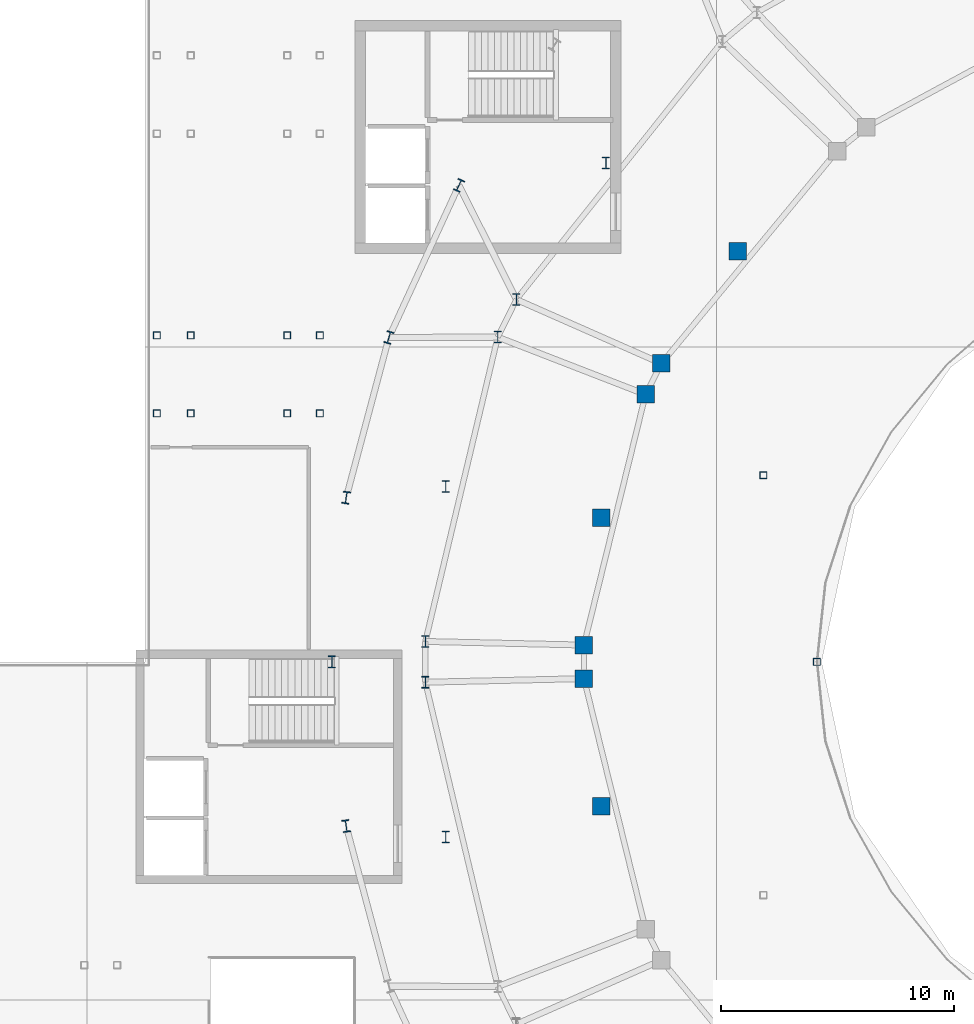
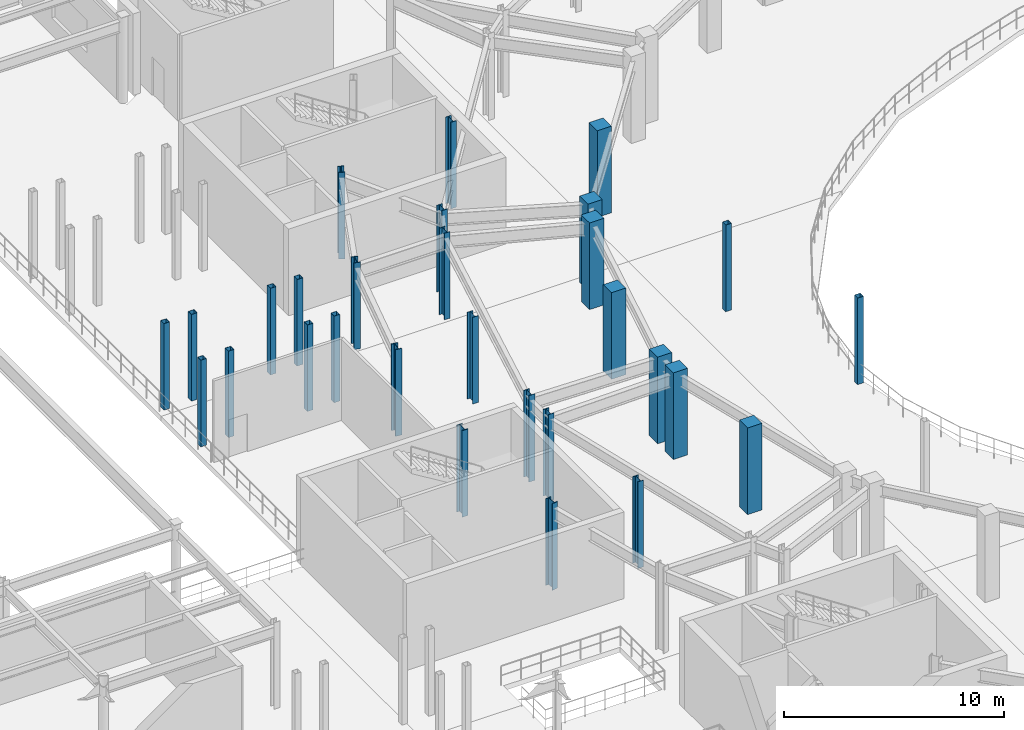
# One storey, part 11 of 86: 29 columns.
"""IFC4 building model written with IfcOpenShell, lengths in metres."""

from ifc_helpers import new_model, si_unit, direction, frame, origin, origin_2d, place, context, subcontext, project, spatial, rectangle, hollow_rectangle, i_section, extrude, material, material_profile, profile_set, type_object, element, save


model = new_model("IFC4")

# Units and contexts
model_context = context("Model", 3, precision=1e-05, world=origin(), true_north=direction((0.0, 1.0)))
body_context = subcontext(model_context, "Body", "Model", "MODEL_VIEW")
ifc_project = project(units=[si_unit("LENGTHUNIT", "METRE"), si_unit("AREAUNIT", "SQUARE_METRE"), si_unit("VOLUMEUNIT", "CUBIC_METRE"), si_unit("PLANEANGLEUNIT", "RADIAN"), si_unit("MASSUNIT", "GRAM", prefix="KILO")], contexts=[model_context])

# Site, building, storey
site_placement = place(None, origin())
site = spatial("IfcSite", under=ifc_project, at=site_placement, CompositionType="ELEMENT")
building_placement = place(site_placement, origin())
building = spatial("IfcBuilding", under=site, at=building_placement, Name="Glasvene Arena", CompositionType="ELEMENT")
storey_placement = place(building_placement, frame((0.0, 0.0, 5.39990234375)))
storey = spatial("IfcBuildingStorey", under=building, at=storey_placement, Name="L01", CompositionType="ELEMENT", Elevation=5.39990234375)

# Columns
ifc_material_1 = material(Name="Concrete C40/50", Category="concrete")
ifc_material_profile_1 = material_profile(ifc_material_1, rectangle(XDim=0.75, YDim=0.75, at=origin_2d()), Name="RC 750x750")
ifc_profile_set_1 = profile_set([ifc_material_profile_1], Name="Concrete C40/50")
column_type_1 = type_object("IfcColumnType", Name="COL-MID-RC750", PredefinedType="COLUMN", material=ifc_profile_set_1)
for number, where, z_axis, x_axis, name in (
    (1, (56.133544921875, 85.79248046875, 0.0), (0.0, 0.0, 1.0), (1.0, 0.0, 0.0), "Mid-bowl fulcrum column L01 07-2"),
    (2, (55.452880859375, 84.46337890625, 0.0), (0.0, 0.0, 1.0), (1.0, 0.0, 0.0), "Mid-bowl fulcrum column L01 08-1"),
    (3, (52.81005859375, 73.71923828125, 0.0), (0.0, 0.0, 1.0), (1.0, 0.0, 0.0), "Mid-bowl fulcrum column L01 08-2"),
    (4, (52.81005859375, 72.28076171875, 0.0), (0.0, 0.0, 1.0), (1.0, 0.0, 0.0), "Mid-bowl fulcrum column L01 09-1"),
    (5, (59.406494140625, 90.611572265625, 0.0), (0.0, 0.0, 1.0), (1.0, 0.0, 0.0), "Mid-sector fulcrum column L01 07"),
    (6, (53.55322265625, 79.184326171875, 0.0), (0.0, 0.0, 1.0), (1.0, 0.0, 0.0), "Mid-sector fulcrum column L01 08"),
    (7, (53.55322265625, 66.815673828125, 0.0), (0.0, 0.0, 1.0), (1.0, 0.0, 0.0), "Mid-sector fulcrum column L01 09"),
):
    element("IfcColumn", number, at=place(storey_placement, frame(where, z_axis=z_axis, x_axis=x_axis)), inside=storey, type_object=column_type_1, Name=name, PredefinedType="COLUMN", context=body_context, shape_type="SweptSolid", body=[
        extrude(rectangle(XDim=0.75, YDim=0.75, at=origin_2d()), origin(), (0.0, 0.0, 1.0), 4.800048828125),
    ])
ifc_material_2 = material(Name="Steel S355J2", Category="steel")
ifc_material_profile_2 = material_profile(ifc_material_2, i_section(OverallWidth=0.305908203125, OverallDepth=0.52392578125, WebThickness=0.02099609375, FlangeThickness=0.0400390625, FilletRadius=0.027099609375, at=origin_2d()), Name="HEM 500")
ifc_profile_set_2 = profile_set([ifc_material_profile_2], Name="Steel S355J2")
column_type_2 = type_object("IfcColumnType", Name="COL-RING-HEM500", PredefinedType="COLUMN", material=ifc_profile_set_2)
for number, where, z_axis, x_axis, name in (
    (8, (47.44970703125, 93.4296875, 0.0), (0.0, 0.0, 1.0), (-0.909018020308, 0.416756810089, 0.0), "Bowl ring column R18 L01"),
    (9, (44.447265625, 86.90576171875, 0.0), (0.0, 0.0, 1.0), (-0.959805291975, 0.280666708921, 0.0), "Bowl ring column R19 L01"),
    (10, (42.615478515625, 80.03955078125, 0.0), (0.0, 0.0, 1.0), (-0.989999050734, 0.141074021516, 0.0), "Bowl ring column R20 L01"),
    (11, (42.0, 73.0, 0.0), (0.0, 0.0, 1.0), (-1.0, 0.0, 0.0), "Bowl ring column R21 L01"),
    (12, (42.615478515625, 65.96044921875, 0.0), (0.0, 0.0, 1.0), (-0.989999050734, -0.141074021516, 0.0), "Bowl ring column R22 L01"),
):
    element("IfcColumn", number, at=place(storey_placement, frame(where, z_axis=z_axis, x_axis=x_axis)), inside=storey, type_object=column_type_2, Name=name, PredefinedType="COLUMN", context=body_context, shape_type="SweptSolid", body=[
        extrude(i_section(OverallWidth=0.305908203125, OverallDepth=0.52392578125, WebThickness=0.02099609375, FlangeThickness=0.0400390625, FilletRadius=0.027099609375, at=origin_2d()), origin(), (0.0, 0.0, 1.0), 4.800048828125),
    ])
ifc_material_profile_3 = material_profile(ifc_material_2, i_section(OverallWidth=0.300048828125, OverallDepth=0.5, WebThickness=0.014404296875, FlangeThickness=0.028076171875, FilletRadius=0.027099609375, at=origin_2d()), Name="HEB 500")
ifc_profile_set_3 = profile_set([ifc_material_profile_3], Name="Steel S355J2")
column_type_3 = type_object("IfcColumnType", Name="COL-W-HEB500", PredefinedType="COLUMN", material=ifc_profile_set_3)
for number, where, z_axis, x_axis, name in (
    (13, (49.911865234375, 88.53662109375, 0.0), (0.0, 0.0, 1.0), (1.0, 0.0, 0.0), "Upper raker rear column L01 07-2"),
    (14, (49.113037109375, 86.922607421875, 0.0), (0.0, 0.0, 1.0), (1.0, 0.0, 0.0), "Upper raker rear column L01 08-1"),
    (15, (46.01171875, 73.87353515625, 0.0), (0.0, 0.0, 1.0), (1.0, 0.0, 0.0), "Upper raker rear column L01 08-2"),
    (16, (46.01171875, 72.12646484375, 0.0), (0.0, 0.0, 1.0), (1.0, 0.0, 0.0), "Upper raker rear column L01 09-1"),
    (17, (53.75244140625, 94.389404296875, 0.0), (0.0, 0.0, 1.0), (1.0, 0.0, 0.0), "Mid-sector rear raker column L01 07"),
    (18, (46.8837890625, 80.510986328125, 0.0), (0.0, 0.0, 1.0), (1.0, 0.0, 0.0), "Mid-sector rear raker column L01 08"),
    (19, (46.8837890625, 65.489013671875, 0.0), (0.0, 0.0, 1.0), (1.0, 0.0, 0.0), "Mid-sector rear raker column L01 09"),
):
    element("IfcColumn", number, at=place(storey_placement, frame(where, z_axis=z_axis, x_axis=x_axis)), inside=storey, type_object=column_type_3, Name=name, PredefinedType="COLUMN", context=body_context, shape_type="SweptSolid", body=[
        extrude(i_section(OverallWidth=0.300048828125, OverallDepth=0.5, WebThickness=0.014404296875, FlangeThickness=0.028076171875, FilletRadius=0.027099609375, at=origin_2d()), origin(), (0.0, 0.0, 1.0), 4.800048828125),
    ])
ifc_material_profile_4 = material_profile(ifc_material_2, hollow_rectangle(XDim=0.300048828125, YDim=0.300048828125, WallThickness=0.012451171875, at=origin_2d()), Name="SHS 300x300x12.5")
ifc_profile_set_4 = profile_set([ifc_material_profile_4], Name="Steel S355J2")
column_type_4 = type_object("IfcColumnType", Name="COL-W-SHS300", PredefinedType="COLUMN", material=ifc_profile_set_4)
for number, where, z_axis, x_axis, name in (
    (20, (60.5, 81.0, 0.0), (0.0, 0.0, 1.0), (1.0, 0.0, 0.0), "Sector 3-3 support column L01-2"),
    (21, (62.800048828125, 73.0, 0.0), (0.0, 0.0, 1.0), (1.0, 0.0, 0.0), "Sector 3-3 support column L01-3"),
    (22, (34.5, 83.64990234375, 0.0), (0.0, 0.0, 1.0), (1.0, 0.0, 0.0), "Vomitory arrival support column VOM-07 L01"),
    (23, (34.5, 87.0, 0.0), (0.0, 0.0, 1.0), (1.0, 0.0, 0.0), "Vomitory arrival support column VOM-07 L01"),
    (24, (35.949951171875, 83.64990234375, 0.0), (0.0, 0.0, 1.0), (1.0, 0.0, 0.0), "Vomitory arrival support column VOM-07 L01"),
    (25, (35.949951171875, 87.0, 0.0), (0.0, 0.0, 1.0), (1.0, 0.0, 0.0), "Vomitory arrival support column VOM-07 L01"),
    (26, (40.090087890625, 83.64990234375, 0.0), (0.0, 0.0, 1.0), (1.0, 0.0, 0.0), "Vomitory landing column VOM-07 L01"),
    (27, (40.090087890625, 87.0, 0.0), (0.0, 0.0, 1.0), (1.0, 0.0, 0.0), "Vomitory landing column VOM-07 L01"),
    (28, (41.489990234375, 83.64990234375, 0.0), (0.0, 0.0, 1.0), (1.0, 0.0, 0.0), "Vomitory landing column VOM-07 L01"),
    (29, (41.489990234375, 87.0, 0.0), (0.0, 0.0, 1.0), (1.0, 0.0, 0.0), "Vomitory landing column VOM-07 L01"),
):
    element("IfcColumn", number, at=place(storey_placement, frame(where, z_axis=z_axis, x_axis=x_axis)), inside=storey, type_object=column_type_4, Name=name, PredefinedType="COLUMN", context=body_context, shape_type="SweptSolid", body=[
        extrude(hollow_rectangle(XDim=0.300048828125, YDim=0.300048828125, WallThickness=0.012451171875, at=origin_2d()), origin(), (0.0, 0.0, 1.0), 4.800048828125),
    ])

save(model, "model.ifc")
